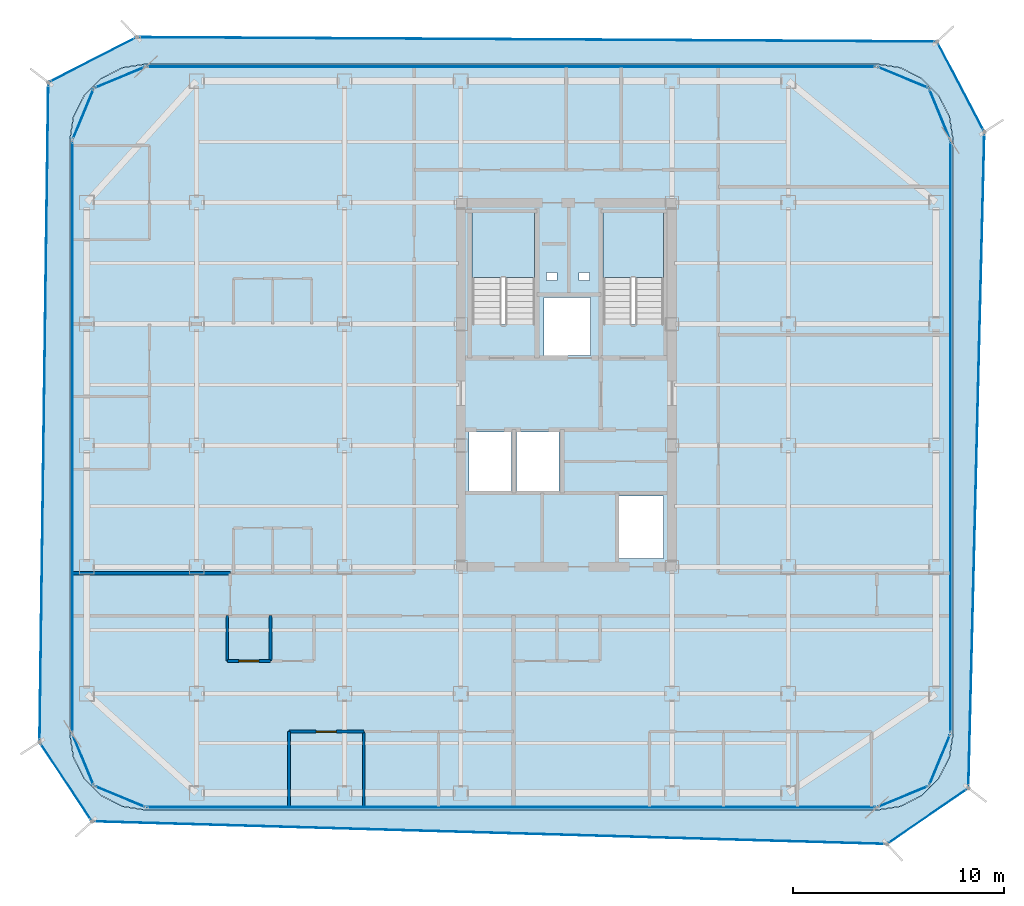
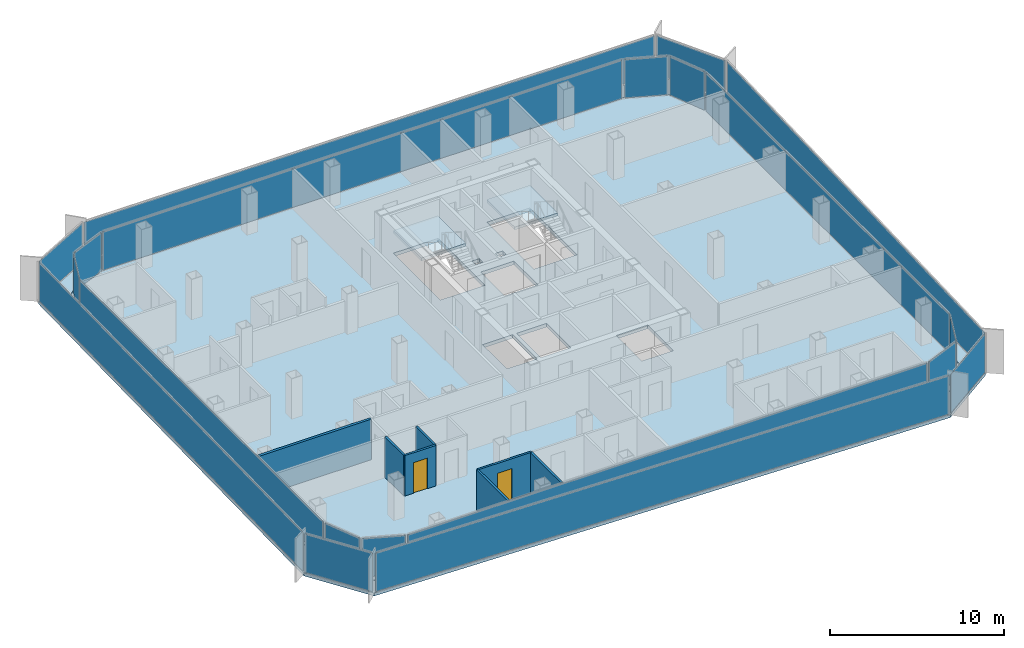
# One storey, part 9 of 15: 20 plates, 7 walls, 4 slabs, 2 doors, 2 openings, 22 elements without a shape of their own.
"""IFC4 building model written with IfcOpenShell, lengths in metres."""

from ifc_helpers import new_model, si_unit, direction, frame, frame_2d, origin, origin_2d, place, context, subcontext, project, spatial, polyline, rectangle, outline, extrude, source, transform, mapped, material, layer, layer_set, type_object, element, fill, aggregate, save


model = new_model("IFC4")

# Units and contexts
model_context = context("Model", 3, precision=1e-05, world=origin(), true_north=direction((0.0, 1.0)))
body_context = subcontext(model_context, "Body", "Model", "MODEL_VIEW")
ifc_project = project(units=[si_unit("LENGTHUNIT", "METRE"), si_unit("AREAUNIT", "SQUARE_METRE"), si_unit("VOLUMEUNIT", "CUBIC_METRE"), si_unit("PLANEANGLEUNIT", "RADIAN"), si_unit("MASSUNIT", "GRAM", prefix="KILO")], contexts=[model_context])

# Site, building, storey
site_placement = place(None, origin())
site = spatial("IfcSite", under=ifc_project, at=site_placement, CompositionType="ELEMENT")
building_placement = place(site_placement, origin())
building = spatial("IfcBuilding", under=site, at=building_placement, Name="Kolveth Station Tower", CompositionType="ELEMENT")
storey_placement = place(building_placement, frame((0.0, 0.0, 184.89990234375)))
storey = spatial("IfcBuildingStorey", under=building, at=storey_placement, Name="L52", CompositionType="ELEMENT", Elevation=184.89990234375)

# Slab
ifc_material_1 = material(Name="Concrete C40/50", Category="concrete")
ifc_layer_1 = layer(ifc_material_1, 0.25)
ifc_layer_set_1 = layer_set([ifc_layer_1], Name="Concrete C40/50")
slab_type_1 = type_object("IfcSlabType", Name="Slab_SF-250", PredefinedType="FLOOR", material=ifc_layer_set_1)
slab_1_placement = place(storey_placement, frame((0.0, 0.0, -0.25)))
element("IfcSlab", 1, at=slab_1_placement, inside=storey, type_object=slab_type_1, Name="L52 Tower Structural Floor Slab", PredefinedType="FLOOR", context=body_context, shape_type="SweptSolid", body=[
    extrude(outline(polyline([(38.199951171875, 0.0), (39.3125, 0.17626953125), (40.31591796875, 0.6875), (41.112548828125, 1.48388671875), (41.623779296875, 2.487548828125), (41.800048828125, 3.60009765625), (41.800048828125, 31.699951171875), (41.623779296875, 32.8125), (41.112548828125, 33.81591796875), (40.31591796875, 34.612548828125), (39.3125, 35.123779296875), (38.199951171875, 35.300048828125), (3.60009765625, 35.300048828125), (2.487548828125, 35.123779296875), (1.48388671875, 34.612548828125), (0.6875, 33.81591796875), (0.17626953125, 32.8125), (0.0, 31.699951171875), (0.0, 3.60009765625), (0.17626953125, 2.487548828125), (0.6875, 1.48388671875), (1.48388671875, 0.6875), (2.487548828125, 0.17626953125), (3.60009765625, 0.0), (38.199951171875, 0.0)]), holes=[polyline([(19.0400390625, 22.985107421875), (22.0, 22.985107421875), (22.0, 28.39990234375), (19.0400390625, 28.39990234375), (19.0400390625, 22.985107421875)]), polyline([(25.239990234375, 22.985107421875), (28.10009765625, 22.985107421875), (28.10009765625, 28.39990234375), (25.239990234375, 28.39990234375), (25.239990234375, 22.985107421875)]), polyline([(18.89990234375, 15.10009765625), (20.89990234375, 15.10009765625), (20.89990234375, 17.89990234375), (18.89990234375, 17.89990234375), (18.89990234375, 15.10009765625)]), polyline([(21.14990234375, 15.10009765625), (23.14990234375, 15.10009765625), (23.14990234375, 17.89990234375), (21.14990234375, 17.89990234375), (21.14990234375, 15.10009765625)]), polyline([(22.449951171875, 21.5), (24.64990234375, 21.5), (24.64990234375, 24.25), (22.449951171875, 24.25), (22.449951171875, 21.5)]), polyline([(26.0, 11.89990234375), (28.10009765625, 11.89990234375), (28.10009765625, 14.85009765625), (26.0, 14.85009765625), (26.0, 11.89990234375)]), polyline([(22.550048828125, 25.050048828125), (23.050048828125, 25.050048828125), (23.050048828125, 25.449951171875), (22.550048828125, 25.449951171875), (22.550048828125, 25.050048828125)]), polyline([(24.10009765625, 25.050048828125), (24.60009765625, 25.050048828125), (24.60009765625, 25.449951171875), (24.10009765625, 25.449951171875), (24.10009765625, 25.050048828125)])]), origin(), (0.0, 0.0, 1.0), 0.25),
])

# Stair, slab
stair_type_1 = type_object("IfcStairType", Name="Stair_ST2", PredefinedType="HALF_TURN_STAIR", material=ifc_material_1)
stair_1_placement = place(storey_placement, origin())
stair_1 = element("IfcStair", 2, at=stair_1_placement, inside=storey, type_object=stair_type_1, Name="L52 Tower Exit Stair ST2", PredefinedType="HALF_TURN_STAIR")
ifc_layer_2 = layer(ifc_material_1, 0.18994140625)
ifc_layer_set_2 = layer_set([ifc_layer_2], Name="Concrete C40/50")
slab_type_2 = type_object("IfcSlabType", Name="Slab_SL-190", PredefinedType="LANDING", material=ifc_layer_set_2)
slab_2_placement = place(storey_placement, frame((0.0, 0.0, 1.400146484375)))
slab_2 = element("IfcSlab", 3, at=slab_2_placement, type_object=slab_type_2, Name="ST2 landing 1", PredefinedType="LANDING", context=body_context, shape_type="SweptSolid", body=[
    extrude(outline(polyline([(28.10009765625, 25.18994140625), (28.10009765625, 28.39990234375), (25.239990234375, 28.39990234375), (25.239990234375, 25.18994140625), (28.10009765625, 25.18994140625)])), origin(), (0.0, 0.0, 1.0), 0.199951171875),
])
aggregate(stair_1, [slab_2])

stair_type_2 = type_object("IfcStairType", Name="Stair_ST1", PredefinedType="HALF_TURN_STAIR", material=ifc_material_1)
stair_2_placement = place(storey_placement, origin())
stair_2 = element("IfcStair", 4, at=stair_2_placement, inside=storey, type_object=stair_type_2, Name="L52 Tower Exit Stair ST1", PredefinedType="HALF_TURN_STAIR")
ifc_layer_3 = layer(ifc_material_1, 0.205078125)
ifc_layer_set_3 = layer_set([ifc_layer_3], Name="Concrete C40/50")
slab_type_3 = type_object("IfcSlabType", Name="Slab_SL-205", PredefinedType="LANDING", material=ifc_layer_set_3)
slab_3_placement = place(storey_placement, frame((0.0, 0.0, 1.400146484375)))
slab_3 = element("IfcSlab", 5, at=slab_3_placement, type_object=slab_type_3, Name="ST1 landing 1", PredefinedType="LANDING", context=body_context, shape_type="SweptSolid", body=[
    extrude(outline(polyline([(22.0, 25.18994140625), (22.0, 28.39990234375), (19.0400390625, 28.39990234375), (19.0400390625, 25.18994140625), (22.0, 25.18994140625)])), origin(), (0.0, 0.0, 1.0), 0.199951171875),
])
aggregate(stair_2, [slab_3])

# Slab
ifc_layer_4 = layer(ifc_material_1, 0.2099609375)
ifc_layer_set_4 = layer_set([ifc_layer_4], Name="Concrete C40/50")
slab_type_4 = type_object("IfcSlabType", Name="Slab_ST-210", PredefinedType="FLOOR", material=ifc_layer_set_4)
slab_4_placement = place(storey_placement, frame((0.0, 0.0, -0.2099609375)))
element("IfcSlab", 6, at=slab_4_placement, inside=storey, type_object=slab_type_4, Name="L52 Double-Skin Cavity Structural Ledger Ring", PredefinedType="FLOOR", context=body_context, shape_type="SweptSolid", body=[
    extrude(outline(polyline([(1.052490234375, -0.5419921875), (-1.43408203125, 3.216796875), (-1.01953125, 34.434326171875), (3.167724609375, 36.574951171875), (41.046142578125, 36.36474609375), (43.286865234375, 32.08984375), (42.530029296875, 1.031982421875), (38.674072265625, -1.6142578125), (1.052490234375, -0.5419921875)]), holes=[polyline([(38.202392578125, -0.014892578125), (39.314697265625, 0.161376953125), (39.3193359375, 0.162841796875), (40.32275390625, 0.674072265625), (40.32666015625, 0.677001953125), (41.123046875, 1.473388671875), (41.1259765625, 1.477294921875), (41.63720703125, 2.480712890625), (41.638671875, 2.485107421875), (41.814697265625, 3.59765625), (41.81494140625, 3.60009765625), (41.81494140625, 31.699951171875), (41.814697265625, 31.702392578125), (41.638671875, 32.814697265625), (41.63720703125, 32.8193359375), (41.1259765625, 33.82275390625), (41.123046875, 33.82666015625), (40.32666015625, 34.623046875), (40.32275390625, 34.6259765625), (39.3193359375, 35.13720703125), (39.314697265625, 35.138671875), (38.202392578125, 35.314697265625), (38.199951171875, 35.31494140625), (3.60009765625, 35.31494140625), (3.59765625, 35.314697265625), (2.485107421875, 35.138671875), (2.480712890625, 35.13720703125), (1.477294921875, 34.6259765625), (1.473388671875, 34.623046875), (0.677001953125, 33.82666015625), (0.674072265625, 33.82275390625), (0.162841796875, 32.8193359375), (0.161376953125, 32.814697265625), (-0.014892578125, 31.702392578125), (-0.014892578125, 31.699951171875), (-0.014892578125, 3.60009765625), (-0.014892578125, 3.59765625), (0.161376953125, 2.485107421875), (0.162841796875, 2.480712890625), (0.674072265625, 1.477294921875), (0.677001953125, 1.473388671875), (1.473388671875, 0.677001953125), (1.477294921875, 0.674072265625), (2.480712890625, 0.162841796875), (2.485107421875, 0.161376953125), (3.59765625, -0.014892578125), (3.60009765625, -0.014892578125), (38.199951171875, -0.014892578125), (38.202392578125, -0.014892578125)])]), origin(), (0.0, 0.0, 1.0), 0.2099609375),
])

# Curtain wall, plate
ifc_material_2 = material(Name="Aluminium 6063-T6 and low-E dark glass", Category="aluminium")
ifc_layer_5 = layer(ifc_material_2, 0.18994140625)
ifc_layer_set_5 = layer_set([ifc_layer_5], Name="Aluminium 6063-T6 and low-E dark glass")
curtain_wall_type_1 = type_object("IfcCurtainWallType", Name="CurtainWall_CW-Z2", PredefinedType="NOTDEFINED", material=ifc_layer_set_5)
curtain_wall_1_placement = place(storey_placement, origin())
curtain_wall_1 = element("IfcCurtainWall", 7, at=curtain_wall_1_placement, inside=storey, type_object=curtain_wall_type_1, Name="L52 Inner Thermal Curtain Wall 1", PredefinedType="NOTDEFINED")
ifc_material_3 = material(Name="Architectural low-E dark glass", Category="glass")
ifc_layer_6 = layer(ifc_material_3, 0.0380859375)
ifc_layer_set_6 = layer_set([ifc_layer_6], Name="Architectural low-E dark glass")
plate_type_1 = type_object("IfcPlateType", Name="Panel_GL2", PredefinedType="CURTAIN_PANEL", material=ifc_layer_set_6)
shared_shape_1 = source(origin(), body_context, "Body", "SweptSolid", [
    extrude(rectangle(XDim=2.517578125, YDim=0.0380859375, at=origin_2d()), origin(), (0.0, 0.0, 1.0), 2.694091796875),
])
plate_1_placement = place(storey_placement, frame((39.430419921875, 0.629638671875, 0.0732421875), z_axis=(0.0, 0.0, 1.0), x_axis=(0.923873600544, 0.382697753087, 0.0)))
plate_1 = element("IfcPlate", 8, at=plate_1_placement, type_object=plate_type_1, Name="CW-Z2 panel 1.1", PredefinedType="CURTAIN_PANEL", context=body_context, shape_type="MappedRepresentation", body=[
    mapped(shared_shape_1, transform((0.0, 0.0, 0.0), x_axis=(1.0, 0.0, 0.0), y_axis=(0.0, 1.0, 0.0), z_axis=(0.0, 0.0, 1.0), scale=1.0)),
])
aggregate(curtain_wall_1, [plate_1])

curtain_wall_2_placement = place(storey_placement, origin())
curtain_wall_2 = element("IfcCurtainWall", 9, at=curtain_wall_2_placement, inside=storey, type_object=curtain_wall_type_1, Name="L52 Inner Thermal Curtain Wall 2", PredefinedType="NOTDEFINED")
plate_2_placement = place(storey_placement, frame((41.17041015625, 2.36962890625, 0.0732421875), z_axis=(0.0, 0.0, 1.0), x_axis=(0.382697753087, 0.923873600544, 0.0)))
plate_2 = element("IfcPlate", 10, at=plate_2_placement, type_object=plate_type_1, Name="CW-Z2 panel 1.1", PredefinedType="CURTAIN_PANEL", context=body_context, shape_type="MappedRepresentation", body=[
    mapped(shared_shape_1, transform((0.0, 0.0, 0.0), x_axis=(1.0, 0.0, 0.0), y_axis=(0.0, 1.0, 0.0), z_axis=(0.0, 0.0, 1.0), scale=1.0)),
])
aggregate(curtain_wall_2, [plate_2])

curtain_wall_3_placement = place(storey_placement, origin())
curtain_wall_3 = element("IfcCurtainWall", 11, at=curtain_wall_3_placement, inside=storey, type_object=curtain_wall_type_1, Name="L52 Inner Thermal Curtain Wall 4", PredefinedType="NOTDEFINED")
plate_3_placement = place(storey_placement, frame((41.17041015625, 32.930419921875, 0.0732421875), z_axis=(0.0, 0.0, 1.0), x_axis=(-0.382697753087, 0.923873600544, 0.0)))
plate_3 = element("IfcPlate", 12, at=plate_3_placement, type_object=plate_type_1, Name="CW-Z2 panel 1.1", PredefinedType="CURTAIN_PANEL", context=body_context, shape_type="MappedRepresentation", body=[
    mapped(shared_shape_1, transform((0.0, 0.0, 0.0), x_axis=(1.0, 0.0, 0.0), y_axis=(0.0, 1.0, 0.0), z_axis=(0.0, 0.0, 1.0), scale=1.0)),
])
aggregate(curtain_wall_3, [plate_3])

curtain_wall_4_placement = place(storey_placement, origin())
curtain_wall_4 = element("IfcCurtainWall", 13, at=curtain_wall_4_placement, inside=storey, type_object=curtain_wall_type_1, Name="L52 Inner Thermal Curtain Wall 5", PredefinedType="NOTDEFINED")
plate_4_placement = place(storey_placement, frame((39.430419921875, 34.67041015625, 0.0732421875), z_axis=(0.0, 0.0, 1.0), x_axis=(-0.923873600544, 0.382697753087, 0.0)))
plate_4 = element("IfcPlate", 14, at=plate_4_placement, type_object=plate_type_1, Name="CW-Z2 panel 1.1", PredefinedType="CURTAIN_PANEL", context=body_context, shape_type="MappedRepresentation", body=[
    mapped(shared_shape_1, transform((0.0, 0.0, 0.0), x_axis=(1.0, 0.0, 0.0), y_axis=(0.0, 1.0, 0.0), z_axis=(0.0, 0.0, 1.0), scale=1.0)),
])
aggregate(curtain_wall_4, [plate_4])

curtain_wall_5_placement = place(storey_placement, origin())
curtain_wall_5 = element("IfcCurtainWall", 15, at=curtain_wall_5_placement, inside=storey, type_object=curtain_wall_type_1, Name="L52 Inner Thermal Curtain Wall 7", PredefinedType="NOTDEFINED")
plate_5_placement = place(storey_placement, frame((2.36962890625, 34.67041015625, 0.0732421875), z_axis=(0.0, 0.0, 1.0), x_axis=(-0.923873600544, -0.382697753087, 0.0)))
plate_5 = element("IfcPlate", 16, at=plate_5_placement, type_object=plate_type_1, Name="CW-Z2 panel 1.1", PredefinedType="CURTAIN_PANEL", context=body_context, shape_type="MappedRepresentation", body=[
    mapped(shared_shape_1, transform((0.0, 0.0, 0.0), x_axis=(1.0, 0.0, 0.0), y_axis=(0.0, 1.0, 0.0), z_axis=(0.0, 0.0, 1.0), scale=1.0)),
])
aggregate(curtain_wall_5, [plate_5])

curtain_wall_6_placement = place(storey_placement, origin())
curtain_wall_6 = element("IfcCurtainWall", 17, at=curtain_wall_6_placement, inside=storey, type_object=curtain_wall_type_1, Name="L52 Inner Thermal Curtain Wall 8", PredefinedType="NOTDEFINED")
plate_6_placement = place(storey_placement, frame((0.629638671875, 32.930419921875, 0.0732421875), z_axis=(0.0, 0.0, 1.0), x_axis=(-0.382697753087, -0.923873600544, 0.0)))
plate_6 = element("IfcPlate", 18, at=plate_6_placement, type_object=plate_type_1, Name="CW-Z2 panel 1.1", PredefinedType="CURTAIN_PANEL", context=body_context, shape_type="MappedRepresentation", body=[
    mapped(shared_shape_1, transform((0.0, 0.0, 0.0), x_axis=(1.0, 0.0, 0.0), y_axis=(0.0, 1.0, 0.0), z_axis=(0.0, 0.0, 1.0), scale=1.0)),
])
aggregate(curtain_wall_6, [plate_6])

curtain_wall_7_placement = place(storey_placement, origin())
curtain_wall_7 = element("IfcCurtainWall", 19, at=curtain_wall_7_placement, inside=storey, type_object=curtain_wall_type_1, Name="L52 Inner Thermal Curtain Wall 10", PredefinedType="NOTDEFINED")
plate_7_placement = place(storey_placement, frame((0.629638671875, 2.36962890625, 0.0732421875), z_axis=(0.0, 0.0, 1.0), x_axis=(0.382697753087, -0.923873600544, 0.0)))
plate_7 = element("IfcPlate", 20, at=plate_7_placement, type_object=plate_type_1, Name="CW-Z2 panel 1.1", PredefinedType="CURTAIN_PANEL", context=body_context, shape_type="MappedRepresentation", body=[
    mapped(shared_shape_1, transform((0.0, 0.0, 0.0), x_axis=(1.0, 0.0, 0.0), y_axis=(0.0, 1.0, 0.0), z_axis=(0.0, 0.0, 1.0), scale=1.0)),
])
aggregate(curtain_wall_7, [plate_7])

curtain_wall_8_placement = place(storey_placement, origin())
curtain_wall_8 = element("IfcCurtainWall", 21, at=curtain_wall_8_placement, inside=storey, type_object=curtain_wall_type_1, Name="L52 Inner Thermal Curtain Wall 11", PredefinedType="NOTDEFINED")
plate_8_placement = place(storey_placement, frame((2.36962890625, 0.629638671875, 0.0732421875), z_axis=(0.0, 0.0, 1.0), x_axis=(0.923873600544, -0.382697753087, 0.0)))
plate_8 = element("IfcPlate", 22, at=plate_8_placement, type_object=plate_type_1, Name="CW-Z2 panel 1.1", PredefinedType="CURTAIN_PANEL", context=body_context, shape_type="MappedRepresentation", body=[
    mapped(shared_shape_1, transform((0.0, 0.0, 0.0), x_axis=(1.0, 0.0, 0.0), y_axis=(0.0, 1.0, 0.0), z_axis=(0.0, 0.0, 1.0), scale=1.0)),
])
aggregate(curtain_wall_8, [plate_8])

curtain_wall_9_placement = place(storey_placement, origin())
curtain_wall_9 = element("IfcCurtainWall", 23, at=curtain_wall_9_placement, inside=storey, type_object=curtain_wall_type_1, Name="L52 Inner Thermal Curtain Wall 3", PredefinedType="NOTDEFINED")
shared_shape_2 = source(origin(), body_context, "Body", "SweptSolid", [
    extrude(rectangle(XDim=27.9541015625, YDim=0.0380859375, at=origin_2d()), origin(), (0.0, 0.0, 1.0), 2.694091796875),
])
plate_9_placement = place(storey_placement, frame((41.679931640625, 17.64990234375, 0.0732421875), z_axis=(0.0, 0.0, 1.0), x_axis=(0.0, 1.0, 0.0)))
plate_9 = element("IfcPlate", 24, at=plate_9_placement, type_object=plate_type_1, Name="CW-Z2 panel 1.1", PredefinedType="CURTAIN_PANEL", context=body_context, shape_type="MappedRepresentation", body=[
    mapped(shared_shape_2, transform((0.0, 0.0, 0.0), x_axis=(1.0, 0.0, 0.0), y_axis=(0.0, 1.0, 0.0), z_axis=(0.0, 0.0, 1.0), scale=1.0)),
])
aggregate(curtain_wall_9, [plate_9])

curtain_wall_10_placement = place(storey_placement, origin())
curtain_wall_10 = element("IfcCurtainWall", 25, at=curtain_wall_10_placement, inside=storey, type_object=curtain_wall_type_1, Name="L52 Inner Thermal Curtain Wall 9", PredefinedType="NOTDEFINED")
plate_10_placement = place(storey_placement, frame((0.1201171875, 17.64990234375, 0.0732421875), z_axis=(0.0, 0.0, 1.0), x_axis=(0.0, -1.0, 0.0)))
plate_10 = element("IfcPlate", 26, at=plate_10_placement, type_object=plate_type_1, Name="CW-Z2 panel 1.1", PredefinedType="CURTAIN_PANEL", context=body_context, shape_type="MappedRepresentation", body=[
    mapped(shared_shape_2, transform((0.0, 0.0, 0.0), x_axis=(1.0, 0.0, 0.0), y_axis=(0.0, 1.0, 0.0), z_axis=(0.0, 0.0, 1.0), scale=1.0)),
])
aggregate(curtain_wall_10, [plate_10])

curtain_wall_11_placement = place(storey_placement, origin())
curtain_wall_11 = element("IfcCurtainWall", 27, at=curtain_wall_11_placement, inside=storey, type_object=curtain_wall_type_1, Name="L52 Inner Thermal Curtain Wall 6", PredefinedType="NOTDEFINED")
shared_shape_3 = source(origin(), body_context, "Body", "SweptSolid", [
    extrude(rectangle(XDim=34.4541015625, YDim=0.0380859375, at=origin_2d()), origin(), (0.0, 0.0, 1.0), 2.694091796875),
])
plate_11_placement = place(storey_placement, frame((20.89990234375, 35.179931640625, 0.0732421875), z_axis=(0.0, 0.0, 1.0), x_axis=(-1.0, 0.0, 0.0)))
plate_11 = element("IfcPlate", 28, at=plate_11_placement, type_object=plate_type_1, Name="CW-Z2 panel 1.1", PredefinedType="CURTAIN_PANEL", context=body_context, shape_type="MappedRepresentation", body=[
    mapped(shared_shape_3, transform((0.0, 0.0, 0.0), x_axis=(1.0, 0.0, 0.0), y_axis=(0.0, 1.0, 0.0), z_axis=(0.0, 0.0, 1.0), scale=1.0)),
])
aggregate(curtain_wall_11, [plate_11])

curtain_wall_12_placement = place(storey_placement, origin())
curtain_wall_12 = element("IfcCurtainWall", 29, at=curtain_wall_12_placement, inside=storey, type_object=curtain_wall_type_1, Name="L52 Inner Thermal Curtain Wall 12", PredefinedType="NOTDEFINED")
plate_12_placement = place(storey_placement, frame((20.89990234375, 0.1201171875, 0.0732421875), z_axis=(0.0, 0.0, 1.0), x_axis=(1.0, 0.0, 0.0)))
plate_12 = element("IfcPlate", 30, at=plate_12_placement, type_object=plate_type_1, Name="CW-Z2 panel 1.1", PredefinedType="CURTAIN_PANEL", context=body_context, shape_type="MappedRepresentation", body=[
    mapped(shared_shape_3, transform((0.0, 0.0, 0.0), x_axis=(1.0, 0.0, 0.0), y_axis=(0.0, 1.0, 0.0), z_axis=(0.0, 0.0, 1.0), scale=1.0)),
])
aggregate(curtain_wall_12, [plate_12])

ifc_material_4 = material(Name="Black anodized aluminium 6063-T6 and dark solar glass", Category="aluminium")
ifc_layer_7 = layer(ifc_material_4, 0.159912109375)
ifc_layer_set_7 = layer_set([ifc_layer_7], Name="Black anodized aluminium 6063-T6 and dark solar glass")
curtain_wall_type_2 = type_object("IfcCurtainWallType", Name="OUTER SKIN CW-OS", PredefinedType="NOTDEFINED", material=ifc_layer_set_7)
curtain_wall_13_placement = place(storey_placement, origin())
curtain_wall_13 = element("IfcCurtainWall", 31, at=curtain_wall_13_placement, inside=storey, type_object=curtain_wall_type_2, Name="L52 Outer Ventilated Skin Curtain Wall 1", PredefinedType="NOTDEFINED")
ifc_layer_8 = layer(ifc_material_3, 0.028076171875)
ifc_layer_set_8 = layer_set([ifc_layer_8], Name="Architectural low-E dark glass")
plate_type_2 = type_object("IfcPlateType", Name="Panel_GL-OS", PredefinedType="CURTAIN_PANEL", material=ifc_layer_set_8)
shared_shape_4 = source(origin(), body_context, "Body", "SweptSolid", [
    extrude(rectangle(XDim=4.510498046875, YDim=0.028076171875, at=origin_2d()), origin(), (0.0, 0.0, 1.0), 2.694091796875),
])
plate_13_placement = place(storey_placement, frame((40.60205078125, -0.291259765625, 0.0732421875), z_axis=(0.0, 0.0, 1.0), x_axis=(0.824523915675, 0.565827104759, 0.0)))
plate_13 = element("IfcPlate", 32, at=plate_13_placement, type_object=plate_type_2, Name="CW-OS panel 1.1", PredefinedType="CURTAIN_PANEL", context=body_context, shape_type="MappedRepresentation", body=[
    mapped(shared_shape_4, transform((0.0, 0.0, 0.0), x_axis=(1.0, 0.0, 0.0), y_axis=(0.0, 1.0, 0.0), z_axis=(0.0, 0.0, 1.0), scale=1.0)),
])
aggregate(curtain_wall_13, [plate_13])

curtain_wall_14_placement = place(storey_placement, origin())
curtain_wall_14 = element("IfcCurtainWall", 33, at=curtain_wall_14_placement, inside=storey, type_object=curtain_wall_type_2, Name="L52 Outer Ventilated Skin Curtain Wall 2", PredefinedType="NOTDEFINED")
shared_shape_5 = source(origin(), body_context, "Body", "SweptSolid", [
    extrude(rectangle(XDim=30.901123046875, YDim=0.028076171875, at=origin_2d()), origin(), (0.0, 0.0, 1.0), 2.694091796875),
])
plate_14_placement = place(storey_placement, frame((42.908447265625, 16.560791015625, 0.0732421875), z_axis=(0.0, 0.0, 1.0), x_axis=(0.024360160134, 0.999703247268, 0.0)))
plate_14 = element("IfcPlate", 34, at=plate_14_placement, type_object=plate_type_2, Name="CW-OS panel 1.1", PredefinedType="CURTAIN_PANEL", context=body_context, shape_type="MappedRepresentation", body=[
    mapped(shared_shape_5, transform((0.0, 0.0, 0.0), x_axis=(1.0, 0.0, 0.0), y_axis=(0.0, 1.0, 0.0), z_axis=(0.0, 0.0, 1.0), scale=1.0)),
])
aggregate(curtain_wall_14, [plate_14])

curtain_wall_15_placement = place(storey_placement, origin())
curtain_wall_15 = element("IfcCurtainWall", 35, at=curtain_wall_15_placement, inside=storey, type_object=curtain_wall_type_2, Name="L52 Outer Ventilated Skin Curtain Wall 3", PredefinedType="NOTDEFINED")
shared_shape_6 = source(origin(), body_context, "Body", "SweptSolid", [
    extrude(rectangle(XDim=4.66064453125, YDim=0.028076171875, at=origin_2d()), origin(), (0.0, 0.0, 1.0), 2.694091796875),
])
plate_15_placement = place(storey_placement, frame((42.16650390625, 34.227294921875, 0.0732421875), z_axis=(0.0, 0.0, 1.0), x_axis=(-0.464236908899, 0.88571106599, 0.0)))
plate_15 = element("IfcPlate", 36, at=plate_15_placement, type_object=plate_type_2, Name="CW-OS panel 1.1", PredefinedType="CURTAIN_PANEL", context=body_context, shape_type="MappedRepresentation", body=[
    mapped(shared_shape_6, transform((0.0, 0.0, 0.0), x_axis=(1.0, 0.0, 0.0), y_axis=(0.0, 1.0, 0.0), z_axis=(0.0, 0.0, 1.0), scale=1.0)),
])
aggregate(curtain_wall_15, [plate_15])

curtain_wall_16_placement = place(storey_placement, origin())
curtain_wall_16 = element("IfcCurtainWall", 37, at=curtain_wall_16_placement, inside=storey, type_object=curtain_wall_type_2, Name="L52 Outer Ventilated Skin Curtain Wall 4", PredefinedType="NOTDEFINED")
shared_shape_7 = source(origin(), body_context, "Body", "SweptSolid", [
    extrude(rectangle(XDim=37.712890625, YDim=0.028076171875, at=origin_2d()), origin(), (0.0, 0.0, 1.0), 2.694091796875),
])
plate_16_placement = place(storey_placement, frame((22.10693359375, 36.469970703125, 0.0732421875), z_axis=(0.0, 0.0, 1.0), x_axis=(-0.999984602786, 0.005549251373, 0.0)))
plate_16 = element("IfcPlate", 38, at=plate_16_placement, type_object=plate_type_2, Name="CW-OS panel 1.1", PredefinedType="CURTAIN_PANEL", context=body_context, shape_type="MappedRepresentation", body=[
    mapped(shared_shape_7, transform((0.0, 0.0, 0.0), x_axis=(1.0, 0.0, 0.0), y_axis=(0.0, 1.0, 0.0), z_axis=(0.0, 0.0, 1.0), scale=1.0)),
])
aggregate(curtain_wall_16, [plate_16])

curtain_wall_17_placement = place(storey_placement, origin())
curtain_wall_17 = element("IfcCurtainWall", 39, at=curtain_wall_17_placement, inside=storey, type_object=curtain_wall_type_2, Name="L52 Outer Ventilated Skin Curtain Wall 5", PredefinedType="NOTDEFINED")
shared_shape_8 = source(origin(), body_context, "Body", "SweptSolid", [
    extrude(rectangle(XDim=4.53662109375, YDim=0.028076171875, at=origin_2d()), origin(), (0.0, 0.0, 1.0), 2.694091796875),
])
plate_17_placement = place(storey_placement, frame((1.07421875, 35.504638671875, 0.0732421875), z_axis=(0.0, 0.0, 1.0), x_axis=(-0.890393697916, -0.455191237516, 0.0)))
plate_17 = element("IfcPlate", 40, at=plate_17_placement, type_object=plate_type_2, Name="CW-OS panel 1.1", PredefinedType="CURTAIN_PANEL", context=body_context, shape_type="MappedRepresentation", body=[
    mapped(shared_shape_8, transform((0.0, 0.0, 0.0), x_axis=(1.0, 0.0, 0.0), y_axis=(0.0, 1.0, 0.0), z_axis=(0.0, 0.0, 1.0), scale=1.0)),
])
aggregate(curtain_wall_17, [plate_17])

curtain_wall_18_placement = place(storey_placement, origin())
curtain_wall_18 = element("IfcCurtainWall", 41, at=curtain_wall_18_placement, inside=storey, type_object=curtain_wall_type_2, Name="L52 Outer Ventilated Skin Curtain Wall 6", PredefinedType="NOTDEFINED")
shared_shape_9 = source(origin(), body_context, "Body", "SweptSolid", [
    extrude(rectangle(XDim=31.054443359375, YDim=0.028076171875, at=origin_2d()), origin(), (0.0, 0.0, 1.0), 2.694091796875),
])
plate_18_placement = place(storey_placement, frame((-1.226806640625, 18.82568359375, 0.0732421875), z_axis=(0.0, 0.0, 1.0), x_axis=(-0.01327979858, -0.999911819587, 0.0)))
plate_18 = element("IfcPlate", 42, at=plate_18_placement, type_object=plate_type_2, Name="CW-OS panel 1.1", PredefinedType="CURTAIN_PANEL", context=body_context, shape_type="MappedRepresentation", body=[
    mapped(shared_shape_9, transform((0.0, 0.0, 0.0), x_axis=(1.0, 0.0, 0.0), y_axis=(0.0, 1.0, 0.0), z_axis=(0.0, 0.0, 1.0), scale=1.0)),
])
aggregate(curtain_wall_18, [plate_18])

curtain_wall_19_placement = place(storey_placement, origin())
curtain_wall_19 = element("IfcCurtainWall", 43, at=curtain_wall_19_placement, inside=storey, type_object=curtain_wall_type_2, Name="L52 Outer Ventilated Skin Curtain Wall 7", PredefinedType="NOTDEFINED")
shared_shape_10 = source(origin(), body_context, "Body", "SweptSolid", [
    extrude(rectangle(XDim=4.3408203125, YDim=0.028076171875, at=origin_2d()), origin(), (0.0, 0.0, 1.0), 2.694091796875),
])
plate_19_placement = place(storey_placement, frame((-0.19091796875, 1.33740234375, 0.0732421875), z_axis=(0.0, 0.0, 1.0), x_axis=(0.551711449873, -0.834035056864, 0.0)))
plate_19 = element("IfcPlate", 44, at=plate_19_placement, type_object=plate_type_2, Name="CW-OS panel 1.1", PredefinedType="CURTAIN_PANEL", context=body_context, shape_type="MappedRepresentation", body=[
    mapped(shared_shape_10, transform((0.0, 0.0, 0.0), x_axis=(1.0, 0.0, 0.0), y_axis=(0.0, 1.0, 0.0), z_axis=(0.0, 0.0, 1.0), scale=1.0)),
])
aggregate(curtain_wall_19, [plate_19])

curtain_wall_20_placement = place(storey_placement, origin())
curtain_wall_20 = element("IfcCurtainWall", 45, at=curtain_wall_20_placement, inside=storey, type_object=curtain_wall_type_2, Name="L52 Outer Ventilated Skin Curtain Wall 8", PredefinedType="NOTDEFINED")
shared_shape_11 = source(origin(), body_context, "Body", "SweptSolid", [
    extrude(rectangle(XDim=37.470947265625, YDim=0.028076171875, at=origin_2d()), origin(), (0.0, 0.0, 1.0), 2.694091796875),
])
plate_20_placement = place(storey_placement, frame((19.86328125, -1.078125, 0.0732421875), z_axis=(0.0, 0.0, 1.0), x_axis=(0.999594211856, -0.028485287861, 0.0)))
plate_20 = element("IfcPlate", 46, at=plate_20_placement, type_object=plate_type_2, Name="CW-OS panel 1.1", PredefinedType="CURTAIN_PANEL", context=body_context, shape_type="MappedRepresentation", body=[
    mapped(shared_shape_11, transform((0.0, 0.0, 0.0), x_axis=(1.0, 0.0, 0.0), y_axis=(0.0, 1.0, 0.0), z_axis=(0.0, 0.0, 1.0), scale=1.0)),
])
aggregate(curtain_wall_20, [plate_20])

# Wall, opening, door
ifc_material_5 = material(Name="Moisture-resistant gypsum partition")
ifc_layer_9 = layer(ifc_material_5, 0.135009765625)
ifc_layer_set_9 = layer_set([ifc_layer_9], Name="Moisture-resistant gypsum partition")
wall_type_1 = type_object("IfcWallType", Name="Wall_IW-135", PredefinedType="PARTITIONING", material=ifc_layer_set_9)
wall_1_placement = place(storey_placement, frame((7.449951171875, 7.050048828125, 0.0), z_axis=(0.0, 0.0, 1.0), x_axis=(1.0, 0.0, 0.0)))
wall_1 = element("IfcWall", 47, at=wall_1_placement, inside=storey, type_object=wall_type_1, Name="L52 Partition Wall WL-L52-A1-IBHK", PredefinedType="PARTITIONING", context=body_context, shape_type="SweptSolid", body=[
    extrude(rectangle(XDim=2.050048828125, YDim=0.135009765625, at=frame_2d((1.02490234375, 0.0))), origin(), (0.0, 0.0, 1.0), 2.840087890625),
])
opening_1_placement = place(wall_1_placement, frame((0.544921875, 0.0, 0.0)))
opening_1 = element("IfcOpeningElement", 48, at=opening_1_placement, cuts=wall_1, Name="Opening ID1", PredefinedType="OPENING", context=body_context, shape_type="SweptSolid", body=[
    extrude(rectangle(XDim=0.949951171875, YDim=2.14990234375, at=frame_2d((0.47509765625, 1.074951171875))), frame((0.0, 0.077392578125, 0.0), z_axis=(0.0, -1.0, 0.0), x_axis=(1.0, 0.0, 0.0)), (0.0, 0.0, 1.0), 0.155029296875),
])
ifc_material_6 = material(Name="Acoustic hardwood leaf and aluminium frame", Category="wood")
door_type = type_object("IfcDoorType", Name="Door_ID1", OperationType="NOTDEFINED", PredefinedType="DOOR", material=ifc_material_6)
door_1_placement = place(opening_1_placement, origin())
door_1 = element("IfcDoor", 49, at=door_1_placement, inside=storey, type_object=door_type, Name="Penthouse Flat L52-A1 Kitchen Door", OperationType="SINGLE_SWING_RIGHT", OverallHeight=2.14990234375, OverallWidth=0.949951171875, PredefinedType="DOOR", context=body_context, shape_type="SweptSolid", body=[
    extrude(rectangle(XDim=0.949951171875, YDim=2.14990234375, at=frame_2d((0.47509765625, 1.074951171875))), frame((0.0, 0.02490234375, 0.0), z_axis=(0.0, -1.0, 0.0), x_axis=(1.0, 0.0, 0.0)), (0.0, 0.0, 1.0), 0.050048828125),
])
fill(opening_1, door_1)

# Walls
for number, where, z_axis, x_axis, name in (
    (50, (7.449951171875, 7.050048828125, 0.0), (0.0, 0.0, 1.0), (0.0, 1.0, 0.0), "L52 Partition Wall WL-L52-A1-IBV0"),
    (51, (9.5, 7.050048828125, 0.0), (0.0, 0.0, 1.0), (0.0, 1.0, 0.0), "L52 Partition Wall WL-L52-A1-IBV1"),
):
    element("IfcWall", number, at=place(storey_placement, frame(where, z_axis=z_axis, x_axis=x_axis)), inside=storey, type_object=wall_type_1, Name=name, PredefinedType="PARTITIONING", context=body_context, shape_type="SweptSolid", body=[
        extrude(rectangle(XDim=2.14990234375, YDim=0.135009765625, at=frame_2d((1.074951171875, 0.0))), origin(), (0.0, 0.0, 1.0), 2.840087890625),
    ])
wall_2_placement = place(storey_placement, frame((10.366943359375, 0.159912109375, 0.0), z_axis=(0.0, 0.0, 1.0), x_axis=(0.0, 1.0, 0.0)))
element("IfcWall", 52, at=wall_2_placement, inside=storey, type_object=wall_type_1, Name="L52 Partition Wall WL-L52-A1-BDV0", PredefinedType="PARTITIONING", context=body_context, shape_type="SweptSolid", body=[
    extrude(rectangle(XDim=3.550048828125, YDim=0.135009765625, at=frame_2d((1.77490234375, 0.0))), origin(), (0.0, 0.0, 1.0), 2.840087890625),
])

# Wall, opening, door
wall_3_placement = place(storey_placement, frame((10.366943359375, 3.7099609375, 0.0), z_axis=(0.0, 0.0, 1.0), x_axis=(1.0, 0.0, 0.0)))
wall_3 = element("IfcWall", 53, at=wall_3_placement, inside=storey, type_object=wall_type_1, Name="L52 Partition Wall WL-L52-A1-BDH1", PredefinedType="PARTITIONING", context=body_context, shape_type="SweptSolid", body=[
    extrude(rectangle(XDim=3.54443359375, YDim=0.135009765625, at=frame_2d((1.772216796875, 0.0))), origin(), (0.0, 0.0, 1.0), 2.840087890625),
])
opening_2_placement = place(wall_3_placement, frame((1.2919921875, 0.0, 0.0)))
opening_2 = element("IfcOpeningElement", 54, at=opening_2_placement, cuts=wall_3, Name="Opening ID1", PredefinedType="OPENING", context=body_context, shape_type="SweptSolid", body=[
    extrude(rectangle(XDim=0.949951171875, YDim=2.14990234375, at=frame_2d((0.47509765625, 1.074951171875))), frame((0.0, 0.077392578125, 0.0), z_axis=(0.0, -1.0, 0.0), x_axis=(1.0, 0.0, 0.0)), (0.0, 0.0, 1.0), 0.155029296875),
])
door_2_placement = place(opening_2_placement, frame((0.949951171875, 0.0, 0.0), z_axis=(0.0, 0.0, 1.0), x_axis=(-1.0, 0.0, 0.0)))
door_2 = element("IfcDoor", 55, at=door_2_placement, inside=storey, type_object=door_type, Name="Penthouse Flat L52-A1 Bedroom 1 Door", OperationType="SINGLE_SWING_RIGHT", OverallHeight=2.14990234375, OverallWidth=0.949951171875, PredefinedType="DOOR", context=body_context, shape_type="SweptSolid", body=[
    extrude(rectangle(XDim=0.949951171875, YDim=2.14990234375, at=frame_2d((0.47509765625, 1.074951171875))), frame((0.0, 0.02490234375, 0.0), z_axis=(0.0, -1.0, 0.0), x_axis=(1.0, 0.0, 0.0)), (0.0, 0.0, 1.0), 0.050048828125),
])
fill(opening_2, door_2)

# Walls
wall_4_placement = place(storey_placement, frame((13.911376953125, 0.159912109375, 0.0), z_axis=(0.0, 0.0, 1.0), x_axis=(0.0, 1.0, 0.0)))
element("IfcWall", 56, at=wall_4_placement, inside=storey, type_object=wall_type_1, Name="L52 Partition Wall WL-L52-A1-BDV1", PredefinedType="PARTITIONING", context=body_context, shape_type="SweptSolid", body=[
    extrude(rectangle(XDim=3.550048828125, YDim=0.135009765625, at=frame_2d((1.77490234375, 0.0))), origin(), (0.0, 0.0, 1.0), 2.840087890625),
])
ifc_material_7 = material(Name="Acoustic double-stud gypsum partition")
ifc_layer_10 = layer(ifc_material_7, 0.1650390625)
ifc_layer_set_10 = layer_set([ifc_layer_10], Name="Acoustic double-stud gypsum partition")
wall_type_2 = type_object("IfcWallType", Name="Wall_IW-165", PredefinedType="PARTITIONING", material=ifc_layer_set_10)
wall_5_placement = place(storey_placement, frame((0.159912109375, 11.199951171875, 0.0), z_axis=(0.0, 0.0, 1.0), x_axis=(1.0, 0.0, 0.0)))
element("IfcWall", 57, at=wall_5_placement, inside=storey, type_object=wall_type_2, Name="L52 Partition Wall WL-L52-WSTN", PredefinedType="PARTITIONING", context=body_context, shape_type="SweptSolid", body=[
    extrude(rectangle(XDim=7.440185546875, YDim=0.1650390625, at=frame_2d((3.72021484375, 0.0))), origin(), (0.0, 0.0, 1.0), 2.840087890625),
])

save(model, "model.ifc")
